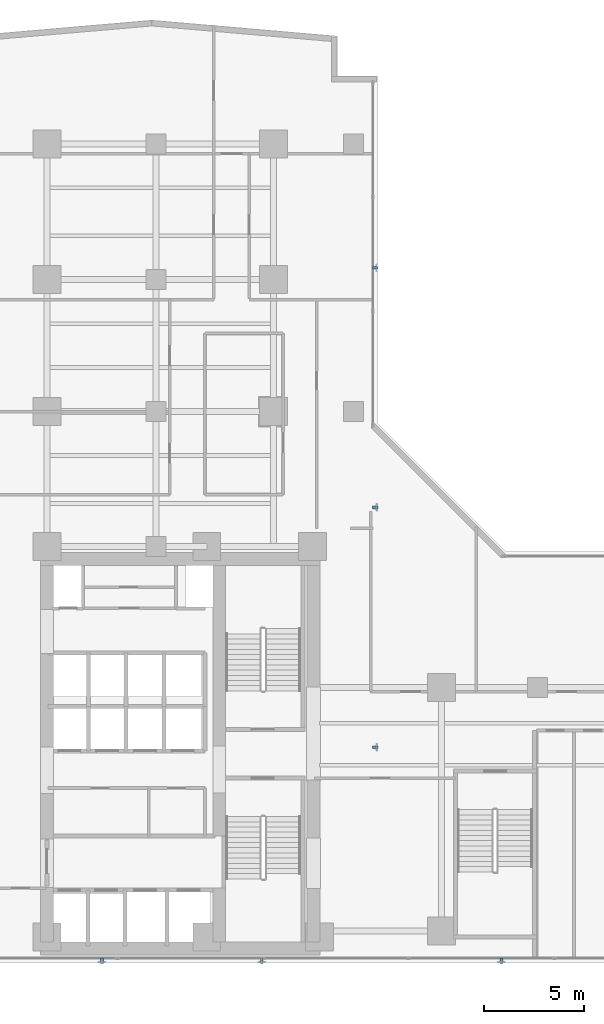
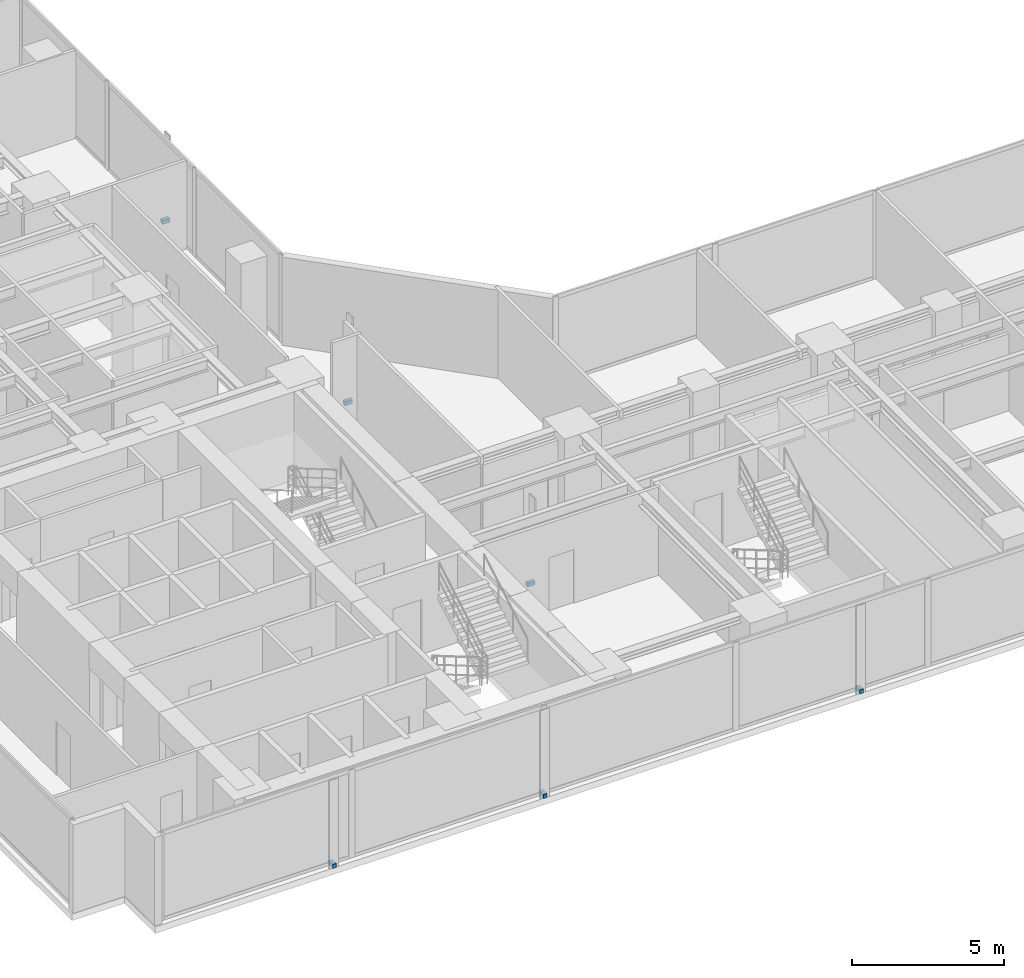
# One storey, part 23 of 27: 6 discrete accessories.
"""IFC4 building model written with IfcOpenShell, lengths in metres."""

import ifcopenshell
import ifcopenshell.guid

model = None  # the IFC model being written
_history = None  # IfcOwnerHistory: only IFC2X3 demands one
_inside = {}  # id of a spatial element -> (the spatial element, [elements in it])
_under = {}  # id of a project, library or spatial element -> (it, [spatial elements below it])
_declared = {}  # id of a project -> (the project, [libraries it declares])
_typed = {}  # id of a type object -> (the type object, [elements of that type])
_made_of = {}  # id of a material, layer set ... -> (it, [elements and type objects made of it])


def new_model(schema):
    """Start an empty IFC model of exactly this schema.

    Asked for "IFC4X3", IfcOpenShell would pick the latest addendum, in which some entities
    have other attributes; the version numbers below select the first issue.
    IFC2X3 requires an IfcOwnerHistory on every rooted entity: one is made here for all.
    """
    global model, _history
    if schema == "IFC4X3":
        model = ifcopenshell.file(schema_version=(4, 3, 0, 0))
    else:
        model = ifcopenshell.file(schema=schema)
    _inside.clear()
    _under.clear()
    _declared.clear()
    _typed.clear()
    _made_of.clear()
    _history = None
    if model.schema == "IFC2X3":
        org = make("IfcOrganization", Name="unknown")
        user = make(
            "IfcPersonAndOrganization",
            ThePerson=make("IfcPerson", FamilyName="unknown"),
            TheOrganization=org,
        )
        app = make(
            "IfcApplication",
            ApplicationDeveloper=org,
            Version="unknown",
            ApplicationFullName="unknown",
            ApplicationIdentifier="unknown",
        )
        _history = make(
            "IfcOwnerHistory",
            OwningUser=user,
            OwningApplication=app,
            ChangeAction="ADDED",
            CreationDate=0,
        )
    return model


def make(cls, **values):
    """One entity of the class cls with the attributes given. An attribute that is None is left unset."""
    return model.create_entity(
        cls, **{name: value for name, value in values.items() if value is not None}
    )


def rooted(cls, **values):
    """An entity with a GlobalId (a new one), such as an element, a storey or a relation."""
    return make(cls, GlobalId=ifcopenshell.guid.new(), OwnerHistory=_history, **values)


def si_unit(unit_type, name, prefix=None):
    """IfcSIUnit, for example si_unit("LENGTHUNIT", "METRE", prefix="MILLI")."""
    return make("IfcSIUnit", UnitType=unit_type, Prefix=prefix, Name=name)


def assignment(units):
    """IfcUnitAssignment: the units of a project."""
    return None if units is None else make("IfcUnitAssignment", Units=units)


def point(xyz):
    """IfcCartesianPoint."""
    return None if xyz is None else make("IfcCartesianPoint", Coordinates=xyz)


def direction(xyz):
    """IfcDirection."""
    return None if xyz is None else make("IfcDirection", DirectionRatios=xyz)


def frame(location, z_axis=None, x_axis=None):
    """IfcAxis2Placement3D, a coordinate frame: its origin and axes. An axis left out is left unset."""
    return make(
        "IfcAxis2Placement3D",
        Location=point(location),
        Axis=direction(z_axis),
        RefDirection=direction(x_axis),
    )


def frame_2d(location, x_axis=None):
    """IfcAxis2Placement2D, a coordinate frame in the plane: its origin and x axis."""
    return make(
        "IfcAxis2Placement2D", Location=point(location), RefDirection=direction(x_axis)
    )


def origin():
    """The frame at (0, 0, 0) with its axes left unset."""
    return frame((0.0, 0.0, 0.0))


def origin_with_axes():
    """The frame at (0, 0, 0) with the z axis (0, 0, 1) and the x axis (1, 0, 0) written out."""
    return frame((0.0, 0.0, 0.0), z_axis=(0.0, 0.0, 1.0), x_axis=(1.0, 0.0, 0.0))


def origin_2d():
    """The frame at (0, 0) in the plane with its x axis left unset."""
    return frame_2d((0.0, 0.0))


def place(relative_to, where):
    """IfcLocalPlacement: puts the frame where relative to a parent placement (None: the world)."""
    return make(
        "IfcLocalPlacement", PlacementRelTo=relative_to, RelativePlacement=where
    )


def context(
    kind, dimensions, precision=None, world=None, true_north=None, identifier=None
):
    """IfcGeometricRepresentationContext, for example the 3D "Model" context."""
    return make(
        "IfcGeometricRepresentationContext",
        ContextIdentifier=identifier,
        ContextType=kind,
        CoordinateSpaceDimension=dimensions,
        Precision=precision,
        WorldCoordinateSystem=world,
        TrueNorth=true_north,
    )


def subcontext(parent, identifier, kind, view, scale=None):
    """IfcGeometricRepresentationSubContext, for example "Body" below "Model"."""
    return make(
        "IfcGeometricRepresentationSubContext",
        ContextIdentifier=identifier,
        ContextType=kind,
        ParentContext=parent,
        TargetScale=scale,
        TargetView=view,
    )


def project(units=None, contexts=None):
    """IfcProject with its units and contexts."""
    return rooted(
        "IfcProject",
        Name="project",
        RepresentationContexts=contexts,
        UnitsInContext=assignment(units),
    )


def spatial(cls, under=None, at=None, **own):
    """A site, building, storey or space (cls), placed at a placement, below another one or the project."""
    s = rooted(cls, ObjectPlacement=at, **own)
    if under is not None:
        _under.setdefault(under.id(), (under, []))[1].append(s)
    return s


def profile(cls, at=None, kind="AREA", **sizes):
    """A parametric profile (cls). Its sizes go by their IFC names, for example OverallWidth=200.0."""
    return make(cls, ProfileType=kind, Position=at, **sizes)


def rectangle(**sizes):
    """IfcRectangleProfileDef."""
    return profile("IfcRectangleProfileDef", **sizes)


def extrude(swept, where, along, depth):
    """IfcExtrudedAreaSolid: the profile swept, set in the frame where, extruded along a direction by depth."""
    return make(
        "IfcExtrudedAreaSolid",
        SweptArea=swept,
        Position=where,
        ExtrudedDirection=direction(along),
        Depth=depth,
    )


def shape(context_of_items, identifier, shape_type, items):
    """IfcShapeRepresentation: the items that make up one representation, for example the "Body"."""
    return make(
        "IfcShapeRepresentation",
        ContextOfItems=context_of_items,
        RepresentationIdentifier=identifier,
        RepresentationType=shape_type,
        Items=items,
    )


def source(mapping_origin, context_of_items, identifier, shape_type, items):
    """IfcRepresentationMap: a shape defined once, which mapped items show again and again."""
    return make(
        "IfcRepresentationMap",
        MappingOrigin=mapping_origin,
        MappedRepresentation=shape(context_of_items, identifier, shape_type, items),
    )


def transform(
    local_origin,
    x_axis=None,
    y_axis=None,
    z_axis=None,
    scale=None,
    scale2=None,
    scale3=None,
    uniform=True,
):
    """IfcCartesianTransformationOperator3D, or its non-uniform kind. x_axis, y_axis, z_axis: its Axis1, 2, 3."""
    if uniform:
        return make(
            "IfcCartesianTransformationOperator3D",
            Axis1=direction(x_axis),
            Axis2=direction(y_axis),
            LocalOrigin=point(local_origin),
            Scale=scale,
            Axis3=direction(z_axis),
        )
    return make(
        "IfcCartesianTransformationOperator3DnonUniform",
        Axis1=direction(x_axis),
        Axis2=direction(y_axis),
        LocalOrigin=point(local_origin),
        Scale=scale,
        Axis3=direction(z_axis),
        Scale2=scale2,
        Scale3=scale3,
    )


def mapped(mapping_source, mapping_target):
    """IfcMappedItem: shows the shape of a source again, moved by a transform."""
    return make(
        "IfcMappedItem", MappingSource=mapping_source, MappingTarget=mapping_target
    )


def material(Name=None, Category=None):
    """IfcMaterial."""
    return make("IfcMaterial", Name=Name, Category=Category)


def made_of(thing, what):
    """Note that an element or type object is made of a material, layer set ...; save() writes the relation."""
    if what is not None:
        _made_of.setdefault(what.id(), (what, []))[1].append(thing)
    return thing


def type_object(cls, material=None, **own):
    """A type object (cls), such as IfcWallType, which elements share."""
    return made_of(rooted(cls, **own), material)


def element(
    cls,
    number,
    at=None,
    inside=None,
    cuts=None,
    type_object=None,
    material=None,
    context=None,
    identifier="Body",
    shape_type=None,
    held_by="IfcProductDefinitionShape",
    body=None,
    shapes=None,
    **own,
):
    """One element of the class cls, such as IfcWall. Its Tag is "e" and its number.

    at: its placement. inside: the storey or other place that contains it. cuts: it is an
    opening in that element (IfcRelVoidsElement). A single representation is given by context,
    identifier, shape_type and body (its items); several are given by shapes. held_by: the class
    of the entity that holds the representations. save() writes the other relations.
    """
    e = rooted(cls, Tag="e%d" % number, ObjectPlacement=at, **own)
    if body is not None:
        shapes = [shape(context, identifier, shape_type, body)]
    if shapes is not None:
        e.Representation = make(held_by, Representations=shapes)
    if inside is not None:
        _inside.setdefault(inside.id(), (inside, []))[1].append(e)
    if cuts is not None:
        rooted(
            "IfcRelVoidsElement", RelatingBuildingElement=cuts, RelatedOpeningElement=e
        )
    if type_object is not None:
        _typed.setdefault(type_object.id(), (type_object, []))[1].append(e)
    return made_of(e, material)


def aggregate(whole, parts):
    """IfcRelAggregates: a whole, such as a stair, and the parts it consists of."""
    return rooted("IfcRelAggregates", RelatingObject=whole, RelatedObjects=parts)


def save(model, path):
    """Write the relations noted so far, then the file.

    IfcRelAggregates (storeys below a building ...), IfcRelContainedInSpatialStructure (elements
    in a storey), IfcRelDefinesByType, IfcRelAssociatesMaterial and IfcRelDeclares: one each for
    every whole, place, type object, material and project.
    """
    for whole, parts in _under.values():
        aggregate(whole, parts)
    for where, things in _inside.values():
        rooted(
            "IfcRelContainedInSpatialStructure",
            RelatedElements=things,
            RelatingStructure=where,
        )
    for kind, things in _typed.values():
        rooted("IfcRelDefinesByType", RelatedObjects=things, RelatingType=kind)
    for what, things in _made_of.values():
        rooted("IfcRelAssociatesMaterial", RelatedObjects=things, RelatingMaterial=what)
    for by, libraries in _declared.values():
        rooted("IfcRelDeclares", RelatingContext=by, RelatedDefinitions=libraries)
    model.write(path)


model = new_model("IFC4")

# Units and contexts
model_context = context("Model", 3, precision=1e-05, world=origin(), true_north=direction((0.0, 1.0)))
body_context = subcontext(model_context, "Body", "Model", "MODEL_VIEW")
ifc_project = project(units=[si_unit("LENGTHUNIT", "METRE"), si_unit("AREAUNIT", "SQUARE_METRE"), si_unit("VOLUMEUNIT", "CUBIC_METRE"), si_unit("PLANEANGLEUNIT", "RADIAN"), si_unit("MASSUNIT", "GRAM", prefix="KILO")], contexts=[model_context])

# Site, building, storey
site_placement = place(None, origin())
site = spatial("IfcSite", under=ifc_project, at=site_placement, CompositionType="ELEMENT")
building_placement = place(site_placement, origin())
building = spatial("IfcBuilding", under=site, at=building_placement, Name="Kolvaren Waterfront Exchange", CompositionType="ELEMENT")
storey_placement = place(building_placement, frame((0.0, 0.0, 118.300048828125)))
storey = spatial("IfcBuildingStorey", under=building, at=storey_placement, Name="L30", CompositionType="ELEMENT", Elevation=118.300048828125)

# Discrete accessories
ifc_material = material(Name="Stainless steel 316", Category="steel")
discrete_accessory_type = type_object("IfcDiscreteAccessoryType", Name="ARC-BRK-FIN", PredefinedType="BRACKET", material=ifc_material)
shared_shape = source(origin_with_axes(), body_context, "Body", "SweptSolid", [
    extrude(rectangle(XDim=0.280029296875, YDim=0.139892578125, at=origin_2d()), origin(), (0.0, 0.0, 1.0), 0.159912109375),
])
for number, where, z_axis, x_axis, name in (
    (1, (10.199951171875, 3.719970703125, 0.0), (0.0, 0.0, 1.0), (0.0, -1.0, 0.0), "L30 bronze fin anchor bracket FIN-L30-S1"),
    (2, (18.199951171875, 3.719970703125, 0.0), (0.0, 0.0, 1.0), (0.0, -1.0, 0.0), "L30 bronze fin anchor bracket FIN-L30-S2"),
    (3, (30.199951171875, 3.719970703125, 0.0), (0.0, 0.0, 1.0), (0.0, -1.0, 0.0), "L30 bronze fin anchor bracket FIN-L30-S3"),
    (4, (23.8798828125, 14.39990234375, 0.0), (0.0, 0.0, 1.0), (1.0, 0.0, 0.0), "L30 bronze fin anchor bracket FIN-L30-E1"),
    (5, (23.8798828125, 26.39990234375, 0.0), (0.0, 0.0, 1.0), (1.0, 0.0, 0.0), "L30 bronze fin anchor bracket FIN-L30-E2"),
    (6, (23.8798828125, 38.39990234375, 0.0), (0.0, 0.0, 1.0), (1.0, 0.0, 0.0), "L30 bronze fin anchor bracket FIN-L30-E3"),
):
    element("IfcDiscreteAccessory", number, at=place(storey_placement, frame(where, z_axis=z_axis, x_axis=x_axis)), inside=storey, type_object=discrete_accessory_type, Name=name, PredefinedType="BRACKET", context=body_context, shape_type="MappedRepresentation", body=[
        mapped(shared_shape, transform((0.0, 0.0, 0.0), x_axis=(1.0, 0.0, 0.0), y_axis=(0.0, 1.0, 0.0), z_axis=(0.0, 0.0, 1.0), scale=1.0)),
    ])

save(model, "model.ifc")
